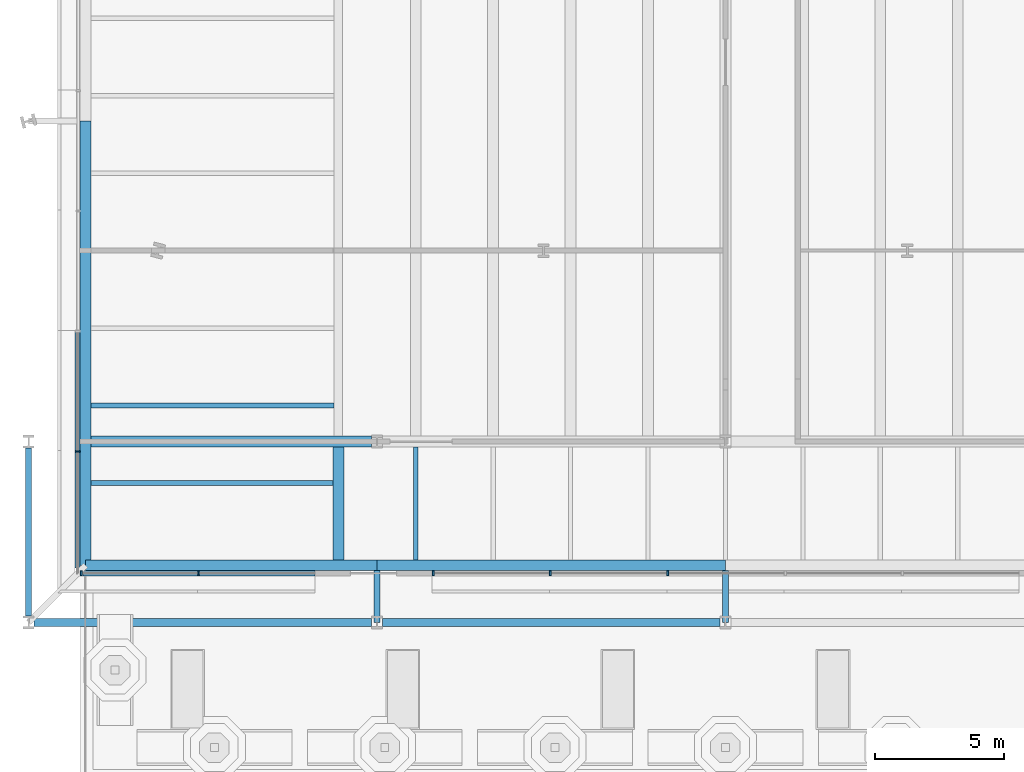
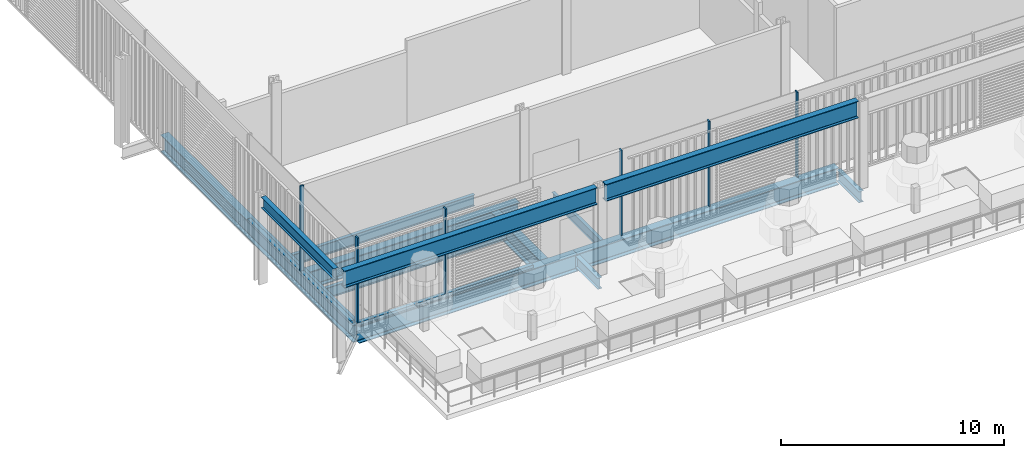
# One storey, part 2 of 25: 13 beams, 8 members, 2 elements without a shape of their own.
"""IFC4 building model written with IfcOpenShell, lengths in metres."""

from ifc_helpers import new_model, si_unit, direction, frame, origin, origin_2d, place, context, subcontext, project, spatial, rectangle, i_section, extrude, material, layer, layer_set, material_profile, profile_set, type_object, element, aggregate, save


model = new_model("IFC4")

# Units and contexts
model_context = context("Model", 3, precision=1e-05, world=origin(), true_north=direction((0.0, 1.0)))
body_context = subcontext(model_context, "Body", "Model", "MODEL_VIEW")
ifc_project = project(units=[si_unit("LENGTHUNIT", "METRE"), si_unit("AREAUNIT", "SQUARE_METRE"), si_unit("VOLUMEUNIT", "CUBIC_METRE"), si_unit("PLANEANGLEUNIT", "RADIAN"), si_unit("MASSUNIT", "GRAM", prefix="KILO")], contexts=[model_context])

# Site, building, storey
site_placement = place(None, origin())
site = spatial("IfcSite", under=ifc_project, at=site_placement, CompositionType="ELEMENT")
building_placement = place(site_placement, origin())
building = spatial("IfcBuilding", under=site, at=building_placement, Name="Millrace Tower", CompositionType="ELEMENT")
storey_placement = place(building_placement, frame((0.0, 0.0, 6.5)))
storey = spatial("IfcBuildingStorey", under=building, at=storey_placement, Name="L02", CompositionType="ELEMENT", Elevation=6.5)

# Curtain wall, members
ifc_material_1 = material(Name="Aluminium and glass", Category="aluminium")
ifc_layer = layer(ifc_material_1, 0.199951171875)
ifc_layer_set = layer_set([ifc_layer], Name="Aluminium and glass")
curtain_wall_type = type_object("IfcCurtainWallType", Name="CW-6 lobby and cascade wing storefront", PredefinedType="NOTDEFINED", material=ifc_layer_set)
placement = place(storey_placement, origin())
curtain_wall_1 = element("IfcCurtainWall", 1, at=placement, inside=storey, type_object=curtain_wall_type, Name="Curtain wall AW2-F01 L02", PredefinedType="NOTDEFINED")
ifc_material_2 = material(Name="Aluminium", Category="aluminium")
ifc_material_profile_1 = material_profile(ifc_material_2, rectangle(XDim=0.074951171875, YDim=0.199951171875, at=origin_2d()))
ifc_profile_set_1 = profile_set([ifc_material_profile_1], Name="Aluminium")
member_type_1 = type_object("IfcMemberType", Name="CW-6 lobby and cascade wing storefront mullion", PredefinedType="MULLION", material=ifc_profile_set_1)
member_1_placement = place(storey_placement, frame((-24.96240234375, -39.5, 0.14990234375), z_axis=(0.0, 0.0, 1.0), x_axis=(1.0, 0.0, 0.0)))
member_1 = element("IfcMember", 2, at=member_1_placement, type_object=member_type_1, Name="CW6 mullion AW2-F01.1", PredefinedType="MULLION", context=body_context, shape_type="SweptSolid", body=[
    extrude(rectangle(XDim=0.074951171875, YDim=0.199951171875, at=origin_2d()), origin(), (0.0, 0.0, 1.0), 4.650146484375),
])
member_2_placement = place(storey_placement, frame((-20.4169921875, -39.5, 0.14990234375), z_axis=(0.0, 0.0, 1.0), x_axis=(1.0, 0.0, 0.0)))
member_2 = element("IfcMember", 3, at=member_2_placement, type_object=member_type_1, Name="CW6 mullion AW2-F01.2", PredefinedType="MULLION", context=body_context, shape_type="SweptSolid", body=[
    extrude(rectangle(XDim=0.074951171875, YDim=0.199951171875, at=origin_2d()), origin(), (0.0, 0.0, 1.0), 4.650146484375),
])
member_3_placement = place(storey_placement, frame((-11.326171875, -39.5, 0.14990234375), z_axis=(0.0, 0.0, 1.0), x_axis=(1.0, 0.0, 0.0)))
member_3 = element("IfcMember", 4, at=member_3_placement, type_object=member_type_1, Name="CW6 mullion AW2-F01.4", PredefinedType="MULLION", context=body_context, shape_type="SweptSolid", body=[
    extrude(rectangle(XDim=0.074951171875, YDim=0.199951171875, at=origin_2d()), origin(), (0.0, 0.0, 1.0), 4.650146484375),
])
member_4_placement = place(storey_placement, frame((-6.78076171875, -39.5, 0.14990234375), z_axis=(0.0, 0.0, 1.0), x_axis=(1.0, 0.0, 0.0)))
member_4 = element("IfcMember", 5, at=member_4_placement, type_object=member_type_1, Name="CW6 mullion AW2-F01.5", PredefinedType="MULLION", context=body_context, shape_type="SweptSolid", body=[
    extrude(rectangle(XDim=0.074951171875, YDim=0.199951171875, at=origin_2d()), origin(), (0.0, 0.0, 1.0), 4.650146484375),
])
member_5_placement = place(storey_placement, frame((-2.235107421875, -39.5, 0.14990234375), z_axis=(0.0, 0.0, 1.0), x_axis=(1.0, 0.0, 0.0)))
member_5 = element("IfcMember", 6, at=member_5_placement, type_object=member_type_1, Name="CW6 mullion AW2-F01.6", PredefinedType="MULLION", context=body_context, shape_type="SweptSolid", body=[
    extrude(rectangle(XDim=0.074951171875, YDim=0.199951171875, at=origin_2d()), origin(), (0.0, 0.0, 1.0), 4.650146484375),
])

# Curtain wall, member
curtain_wall_2 = element("IfcCurtainWall", 7, at=placement, inside=storey, type_object=curtain_wall_type, Name="Curtain wall AW2-F06 L02 CW6", PredefinedType="NOTDEFINED")
member_6_placement = place(storey_placement, frame((-25.10009765625, -34.77978515625, 0.14990234375), z_axis=(0.0, 0.0, 1.0), x_axis=(0.0, -1.0, 0.0)))
member_6 = element("IfcMember", 8, at=member_6_placement, type_object=member_type_1, Name="CW6 mullion AW2-F06.13", PredefinedType="MULLION", context=body_context, shape_type="SweptSolid", body=[
    extrude(rectangle(XDim=0.074951171875, YDim=0.199951171875, at=origin_2d()), origin(), (0.0, 0.0, 1.0), 4.650146484375),
])

# Member
ifc_material_3 = material(Name="Aluminium", Category="aluminium")
ifc_material_profile_2 = material_profile(ifc_material_3, rectangle(XDim=0.199951171875, YDim=0.14990234375, at=origin_2d()))
ifc_profile_set_2 = profile_set([ifc_material_profile_2], Name="Aluminium")
member_type_2 = type_object("IfcMemberType", Name="CW-6 lobby and cascade wing storefront transom", PredefinedType="USERDEFINED", material=ifc_profile_set_2)
member_7_placement = place(storey_placement, frame((-24.89990234375, -39.5, 0.074951171875), z_axis=(1.0, 0.0, 0.0), x_axis=(0.0, 1.0, 0.0)))
member_7 = element("IfcMember", 9, at=member_7_placement, type_object=member_type_2, Name="CW6 transom AW2-F01.1", ObjectType="TRANSOM", PredefinedType="USERDEFINED", context=body_context, shape_type="SweptSolid", body=[
    extrude(rectangle(XDim=0.199951171875, YDim=0.14990234375, at=origin_2d()), origin(), (0.0, 0.0, 1.0), 8.99072265625),
])

aggregate(curtain_wall_1, [member_1, member_2, member_3, member_4, member_5, member_7])

member_8_placement = place(storey_placement, frame((-25.10009765625, -30.084716796875, 0.074951171875), z_axis=(0.0, -1.0, 0.0), x_axis=(1.0, 0.0, 0.0)))
member_8 = element("IfcMember", 10, at=member_8_placement, type_object=member_type_2, Name="CW6 transom AW2-F06.3", ObjectType="TRANSOM", PredefinedType="USERDEFINED", context=body_context, shape_type="SweptSolid", body=[
    extrude(rectangle(XDim=0.199951171875, YDim=0.14990234375, at=origin_2d()), origin(), (0.0, 0.0, 1.0), 9.21533203125),
])

aggregate(curtain_wall_2, [member_6, member_8])

# Beams
ifc_material_4 = material(Name="Steel ASTM A992 Grade 50", Category="steel")
ifc_material_profile_3 = material_profile(ifc_material_4, i_section(OverallWidth=0.1650390625, OverallDepth=0.52587890625, WebThickness=0.0087890625, FlangeThickness=0.011474609375, FilletRadius=0.0126953125, at=origin_2d()))
ifc_profile_set_3 = profile_set([ifc_material_profile_3], Name="Steel ASTM A992 Grade 50")
beam_type_1 = type_object("IfcBeamType", Name="Floor beam W21x44", PredefinedType="JOIST", material=ifc_profile_set_3)
beam_1_placement = place(storey_placement, frame((-12.0, -38.978271484375, -0.48779296875), z_axis=(0.0, 1.0, 0.0), x_axis=(-1.0, 0.0, 0.0)))
element("IfcBeam", 11, at=beam_1_placement, inside=storey, type_object=beam_type_1, Name="BM-A-L02-S1-S053", PredefinedType="JOIST", context=body_context, shape_type="SweptSolid", body=[
    extrude(i_section(OverallWidth=0.1650390625, OverallDepth=0.52587890625, WebThickness=0.0087890625, FlangeThickness=0.011474609375, FilletRadius=0.0126953125, at=origin_2d()), origin(), (0.0, 0.0, 1.0), 4.3662109375),
])
ifc_material_5 = material(Name="Steel ASTM A992 Grade 50", Category="steel")
ifc_material_profile_4 = material_profile(ifc_material_5, i_section(OverallWidth=0.1787109375, OverallDepth=0.60205078125, WebThickness=0.010986328125, FlangeThickness=0.014892578125, FilletRadius=0.0126953125, at=origin_2d()))
ifc_profile_set_4 = profile_set([ifc_material_profile_4], Name="Steel ASTM A992 Grade 50")
beam_type_2 = type_object("IfcBeamType", Name="Floor beam W24x62", PredefinedType="JOIST", material=ifc_profile_set_4)
beam_2_placement = place(storey_placement, frame((-24.578369140625, -36.0, -0.52587890625), z_axis=(1.0, 0.0, 0.0), x_axis=(0.0, 1.0, 0.0)))
element("IfcBeam", 12, at=beam_2_placement, inside=storey, type_object=beam_type_2, Name="BM-A-L02-S1-S001", PredefinedType="JOIST", context=body_context, shape_type="SweptSolid", body=[
    extrude(i_section(OverallWidth=0.1787109375, OverallDepth=0.60205078125, WebThickness=0.010986328125, FlangeThickness=0.014892578125, FilletRadius=0.0126953125, at=origin_2d()), origin(), (0.0, 0.0, 1.0), 9.3662109375),
])
beam_3_placement = place(storey_placement, frame((-24.578369140625, -33.0, -0.52587890625), z_axis=(1.0, 0.0, 0.0), x_axis=(0.0, 1.0, 0.0)))
element("IfcBeam", 13, at=beam_3_placement, inside=storey, type_object=beam_type_2, Name="BM-A-L02-S1-S003", PredefinedType="JOIST", context=body_context, shape_type="SweptSolid", body=[
    extrude(i_section(OverallWidth=0.1787109375, OverallDepth=0.60205078125, WebThickness=0.010986328125, FlangeThickness=0.014892578125, FilletRadius=0.0126953125, at=origin_2d()), origin(), (0.0, 0.0, 1.0), 9.414306640625),
])
ifc_material_6 = material(Name="Steel ASTM A992 Grade 50", Category="steel")
ifc_material_profile_5 = material_profile(ifc_material_6, i_section(OverallWidth=0.424072265625, OverallDepth=0.947509765625, WebThickness=0.02392578125, FlangeThickness=0.042724609375, FilletRadius=0.024169921875, at=origin_2d()))
ifc_profile_set_5 = profile_set([ifc_material_profile_5], Name="Steel ASTM A992 Grade 50")
beam_type_3 = type_object("IfcBeamType", Name="Girder short span W36x302", PredefinedType="BEAM", material=ifc_profile_set_5)
beam_4_placement = place(storey_placement, frame((-15.0, -38.978271484375, -0.69873046875), z_axis=(0.0, 1.0, 0.0), x_axis=(-1.0, 0.0, 0.0)))
element("IfcBeam", 14, at=beam_4_placement, inside=storey, type_object=beam_type_3, Name="BM-A-L02-S1-G080", PredefinedType="BEAM", context=body_context, shape_type="SweptSolid", body=[
    extrude(i_section(OverallWidth=0.424072265625, OverallDepth=0.947509765625, WebThickness=0.02392578125, FlangeThickness=0.042724609375, FilletRadius=0.024169921875, at=origin_2d()), origin(), (0.0, 0.0, 1.0), 4.3662109375),
])
beam_5_placement = place(storey_placement, frame((-24.578369140625, -34.39990234375, -0.69873046875), z_axis=(1.0, 0.0, 0.0), x_axis=(0.0, 1.0, 0.0)))
element("IfcBeam", 15, at=beam_5_placement, inside=storey, type_object=beam_type_3, Name="BM-A-L02-S1-G087", PredefinedType="BEAM", context=body_context, shape_type="SweptSolid", body=[
    extrude(i_section(OverallWidth=0.424072265625, OverallDepth=0.947509765625, WebThickness=0.02392578125, FlangeThickness=0.042724609375, FilletRadius=0.024169921875, at=origin_2d()), origin(), (0.0, 0.0, 1.0), 10.8623046875),
])
ifc_material_7 = material(Name="Steel ASTM A992 Grade 50", Category="steel")
ifc_material_profile_6 = material_profile(ifc_material_7, i_section(OverallWidth=0.23046875, OverallDepth=0.6171875, WebThickness=0.01318359375, FlangeThickness=0.022216796875, FilletRadius=0.012939453125, at=origin_2d()))
ifc_profile_set_6 = profile_set([ifc_material_profile_6], Name="Steel ASTM A992 Grade 50")
beam_type_4 = type_object("IfcBeamType", Name="Link beam W24x94", PredefinedType="BEAM", material=ifc_profile_set_6)
for number, where, z_axis, x_axis, name in (
    (16, (0.0, -39.39990234375, -0.5986328125), (0.0, -1.0, 0.0), (1.0, 0.0, 0.0), "LNK-A-L02-S1-16"),
    (17, (-13.5, -39.39990234375, -0.5986328125), (0.0, -1.0, 0.0), (1.0, 0.0, 0.0), "LNK-A-L02-S1-17"),
):
    element("IfcBeam", number, at=place(storey_placement, frame(where, z_axis=z_axis, x_axis=x_axis)), inside=storey, type_object=beam_type_4, Name=name, PredefinedType="BEAM", context=body_context, shape_type="SweptSolid", body=[
        extrude(i_section(OverallWidth=0.23046875, OverallDepth=0.6171875, WebThickness=0.01318359375, FlangeThickness=0.022216796875, FilletRadius=0.012939453125, at=origin_2d()), origin(), (0.0, 0.0, 1.0), 2.0),
    ])
ifc_material_8 = material(Name="Steel ASTM A992 Grade 50", Category="steel")
ifc_material_profile_7 = material_profile(ifc_material_8, i_section(OverallWidth=0.421630859375, OverallDepth=0.937255859375, WebThickness=0.021240234375, FlangeThickness=0.03662109375, FilletRadius=0.024169921875, at=origin_2d()))
ifc_profile_set_7 = profile_set([ifc_material_profile_7], Name="Steel ASTM A992 Grade 50")
beam_type_5 = type_object("IfcBeamType", Name="Ring beam medium span W36x262", PredefinedType="SPANDREL", material=ifc_profile_set_7)
beam_6_placement = place(storey_placement, frame((-24.7890625, -39.189208984375, -0.693603515625), z_axis=(0.0, 1.0, 0.0), x_axis=(-1.0, 0.0, 0.0)))
element("IfcBeam", 18, at=beam_6_placement, inside=storey, type_object=beam_type_5, Name="RNG-A-L02-S1-01", PredefinedType="SPANDREL", context=body_context, shape_type="SweptSolid", body=[
    extrude(i_section(OverallWidth=0.421630859375, OverallDepth=0.937255859375, WebThickness=0.021240234375, FlangeThickness=0.03662109375, FilletRadius=0.024169921875, at=origin_2d()), origin(), (0.0, 0.0, 1.0), 17.210693359375),
])
beam_7_placement = place(storey_placement, frame((0.0, -39.189208984375, -0.693603515625), z_axis=(-1.0, 0.0, 0.0), x_axis=(0.0, -1.0, 0.0)))
element("IfcBeam", 19, at=beam_7_placement, inside=storey, type_object=beam_type_5, Name="RNG-A-L02-S1-16", PredefinedType="SPANDREL", context=body_context, shape_type="SweptSolid", body=[
    extrude(i_section(OverallWidth=0.421630859375, OverallDepth=0.937255859375, WebThickness=0.021240234375, FlangeThickness=0.03662109375, FilletRadius=0.024169921875, at=origin_2d()), origin(), (0.0, 0.0, 1.0), 13.5),
])
ifc_material_9 = material(Name="Steel ASTM A992 Grade 50", Category="steel")
ifc_material_profile_8 = material_profile(ifc_material_9, i_section(OverallWidth=0.421630859375, OverallDepth=0.937255859375, WebThickness=0.021240234375, FlangeThickness=0.03662109375, FilletRadius=0.024169921875, at=origin_2d()))
ifc_profile_set_8 = profile_set([ifc_material_profile_8], Name="Steel ASTM A992 Grade 50")
beam_type_6 = type_object("IfcBeamType", Name="Ring beam short span W36x262", PredefinedType="SPANDREL", material=ifc_profile_set_8)
beam_8_placement = place(storey_placement, frame((-13.5, -39.189208984375, -0.693603515625), z_axis=(-1.0, 0.0, 0.0), x_axis=(0.0, -1.0, 0.0)))
element("IfcBeam", 20, at=beam_8_placement, inside=storey, type_object=beam_type_6, Name="RNG-A-L02-S1-17", PredefinedType="SPANDREL", context=body_context, shape_type="SweptSolid", body=[
    extrude(i_section(OverallWidth=0.421630859375, OverallDepth=0.937255859375, WebThickness=0.021240234375, FlangeThickness=0.03662109375, FilletRadius=0.024169921875, at=origin_2d()), origin(), (0.0, 0.0, 1.0), 11.2890625),
])
ifc_material_10 = material(Name="Steel ASTM A992 Grade 50", Category="steel")
ifc_material_profile_9 = material_profile(ifc_material_10, i_section(OverallWidth=0.307373046875, OverallDepth=0.927001953125, WebThickness=0.01953125, FlangeThickness=0.031982421875, FilletRadius=0.01904296875, at=origin_2d()))
ifc_profile_set_9 = profile_set([ifc_material_profile_9], Name="Steel ASTM A992 Grade 50")
beam_type_7 = type_object("IfcBeamType", Name="Terrace edge beam W36x194", PredefinedType="BEAM", material=ifc_profile_set_9)
for number, where, z_axis, x_axis, name in (
    (21, (-26.7841796875, -41.39990234375, 4.33642578125), (1.0, 0.0, 0.0), (0.0, 1.0, 0.0), "BM-WING-L02-EDGE01"),
    (22, (-13.2841796875, -41.39990234375, 4.33642578125), (1.0, 0.0, 0.0), (0.0, 1.0, 0.0), "BM-WING-L02-EDGE02"),
):
    element("IfcBeam", number, at=place(storey_placement, frame(where, z_axis=z_axis, x_axis=x_axis)), inside=storey, type_object=beam_type_7, Name=name, PredefinedType="BEAM", context=body_context, shape_type="SweptSolid", body=[
        extrude(i_section(OverallWidth=0.307373046875, OverallDepth=0.927001953125, WebThickness=0.01953125, FlangeThickness=0.031982421875, FilletRadius=0.01904296875, at=origin_2d()), origin(), (0.0, 0.0, 1.0), 13.068359375),
    ])
ifc_material_11 = material(Name="Steel ASTM A992 Grade 50", Category="steel")
ifc_material_profile_10 = material_profile(ifc_material_11, i_section(OverallWidth=0.23046875, OverallDepth=0.6171875, WebThickness=0.01318359375, FlangeThickness=0.022216796875, FilletRadius=0.012939453125, at=origin_2d()))
ifc_profile_set_10 = profile_set([ifc_material_profile_10], Name="Steel ASTM A992 Grade 50")
beam_type_8 = type_object("IfcBeamType", Name="Terrace tie beam W24x94", PredefinedType="BEAM", material=ifc_profile_set_10)
beam_9_placement = place(storey_placement, frame((-27.0, -41.151123046875, 4.491455078125), z_axis=(0.0, 1.0, 0.0), x_axis=(-1.0, 0.0, 0.0)))
element("IfcBeam", 23, at=beam_9_placement, inside=storey, type_object=beam_type_8, Name="BM-WING-L02-TIEW", PredefinedType="BEAM", context=body_context, shape_type="SweptSolid", body=[
    extrude(i_section(OverallWidth=0.23046875, OverallDepth=0.6171875, WebThickness=0.01318359375, FlangeThickness=0.022216796875, FilletRadius=0.012939453125, at=origin_2d()), origin(), (0.0, 0.0, 1.0), 6.502197265625),
])

save(model, "model.ifc")
